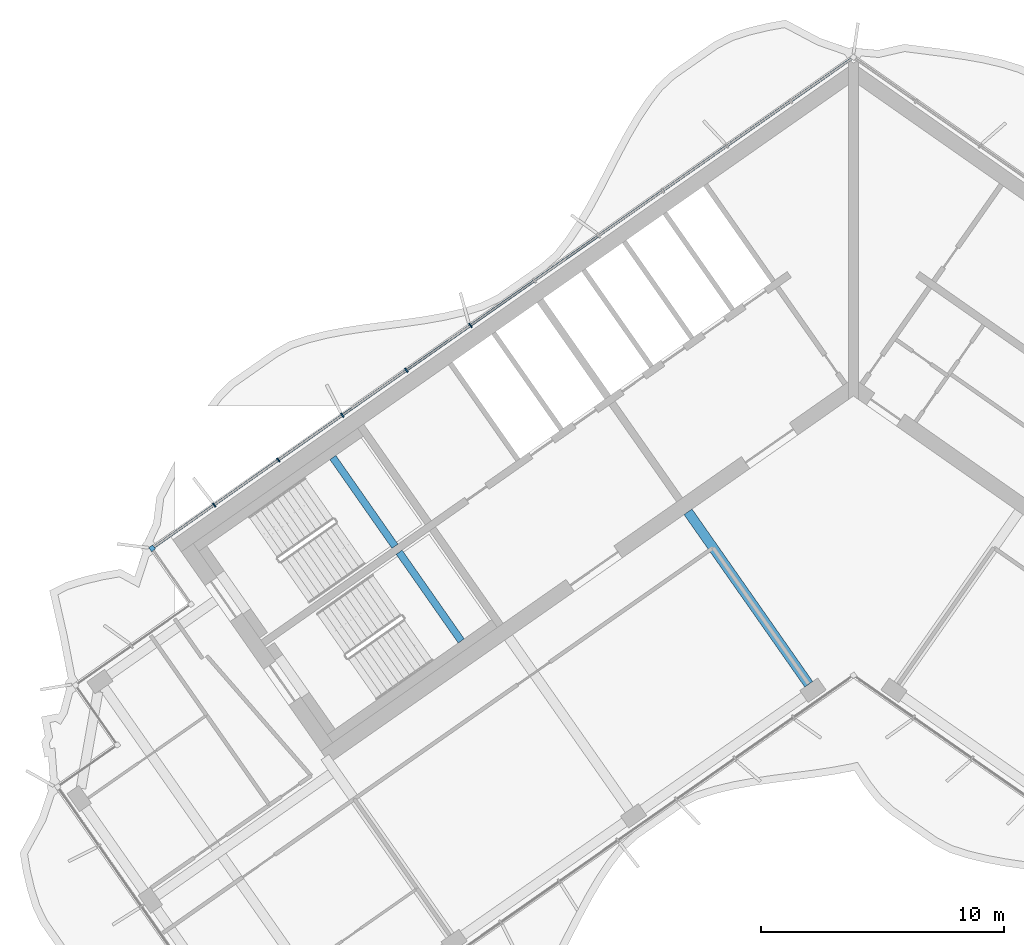
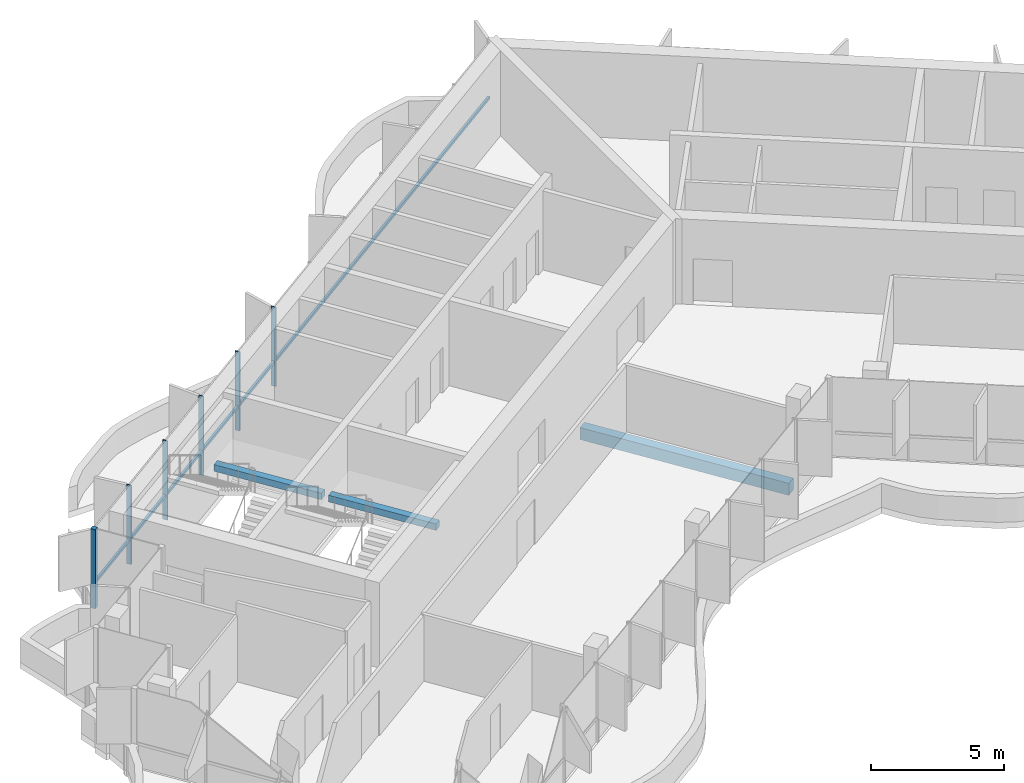
# One storey, part 3 of 19: 7 members, 3 beams, 1 element without a shape of its own.
"""IFC4 building model written with IfcOpenShell, lengths in metres."""

from ifc_helpers import new_model, si_unit, direction, frame, origin, origin_2d, place, context, subcontext, project, spatial, rectangle, extrude, material, material_profile, profile_set, type_object, element, aggregate, save


model = new_model("IFC4")

# Units and contexts
model_context = context("Model", 3, precision=1e-05, world=origin(), true_north=direction((0.0, 1.0)))
body_context = subcontext(model_context, "Body", "Model", "MODEL_VIEW")
ifc_project = project(units=[si_unit("LENGTHUNIT", "METRE"), si_unit("AREAUNIT", "SQUARE_METRE"), si_unit("VOLUMEUNIT", "CUBIC_METRE"), si_unit("PLANEANGLEUNIT", "RADIAN"), si_unit("MASSUNIT", "GRAM", prefix="KILO")], contexts=[model_context])

# Site, building, storey
site_placement = place(None, origin())
site = spatial("IfcSite", under=ifc_project, at=site_placement, CompositionType="ELEMENT")
building_placement = place(site_placement, origin())
building = spatial("IfcBuilding", under=site, at=building_placement, Name="Tel Ilan Convention Tower", CompositionType="ELEMENT")
storey_placement = place(building_placement, frame((0.0, 0.0, 241.0)))
storey = spatial("IfcBuildingStorey", under=building, at=storey_placement, Name="L56", CompositionType="ELEMENT", Elevation=241.0)

# Beam
ifc_material_1 = material(Name="Concrete C40/50", Category="concrete")
ifc_material_profile_1 = material_profile(ifc_material_1, rectangle(XDim=0.39990234375, YDim=0.550048828125, at=origin_2d()), Name="RC 400x550")
ifc_profile_set_1 = profile_set([ifc_material_profile_1], Name="Concrete C40/50")
beam_type_1 = type_object("IfcBeamType", Name="Beam RC 400x550 Concrete C40/50", PredefinedType="BEAM", material=ifc_profile_set_1)
beam_1_placement = place(storey_placement, frame((-1.83740234375, -13.06689453125, -0.554931640625), z_axis=(-0.573574099654, 0.819153680457, 0.0), x_axis=(-0.819153680457, -0.573574099654, 0.0)))
element("IfcBeam", 1, at=beam_1_placement, inside=storey, type_object=beam_type_1, Name="L56 beam W-W-F1-core", PredefinedType="BEAM", context=body_context, shape_type="SweptSolid", body=[
    extrude(rectangle(XDim=0.39990234375, YDim=0.550048828125, at=origin_2d()), origin(), (0.0, 0.0, 1.0), 8.64990234375),
])

# Curtain wall, members
ifc_material_2 = material(Name="Aluminium, bronze anodised", Category="aluminium")
curtain_wall_type = type_object("IfcCurtainWallType", Name="CW2 STICK CURTAIN WALL, SPANDREL PANELS", PredefinedType="NOTDEFINED", material=ifc_material_2)
curtain_wall_placement = place(storey_placement, origin())
curtain_wall = element("IfcCurtainWall", 2, at=curtain_wall_placement, inside=storey, type_object=curtain_wall_type, Name="Curtain wall CW2-43.01", PredefinedType="NOTDEFINED")
ifc_material_3 = material(Name="Aluminium, bronze anodised", Category="aluminium")
ifc_material_profile_2 = material_profile(ifc_material_3, rectangle(XDim=0.199951171875, YDim=0.199951171875, at=origin_2d()), Name="CW CORNER MULLION 200x200")
ifc_profile_set_2 = profile_set([ifc_material_profile_2], Name="Aluminium, bronze anodised")
member_type_1 = type_object("IfcMemberType", Name="CW CORNER MULLION 200x200", PredefinedType="MULLION", material=ifc_profile_set_2)
member_1_placement = place(storey_placement, frame((-28.819580078125, -7.483642578125, 0.0), z_axis=(0.0, 0.0, 1.0), x_axis=(-0.819152044289, -0.573576436351, 0.0)))
member_1 = element("IfcMember", 3, at=member_1_placement, type_object=member_type_1, Name="Corner mullion", PredefinedType="MULLION", context=body_context, shape_type="SweptSolid", body=[
    extrude(rectangle(XDim=0.199951171875, YDim=0.199951171875, at=origin_2d()), origin(), (0.0, 0.0, 1.0), 3.6201171875),
])
ifc_material_4 = material(Name="Aluminium, bronze anodised", Category="aluminium")
ifc_material_profile_3 = material_profile(ifc_material_4, rectangle(XDim=0.06005859375, YDim=0.199951171875, at=origin_2d()), Name="CW MULLION 60x200")
ifc_profile_set_3 = profile_set([ifc_material_profile_3], Name="Aluminium, bronze anodised")
member_type_2 = type_object("IfcMemberType", Name="CW MULLION 60x200", PredefinedType="MULLION", material=ifc_profile_set_3)
member_2_placement = place(storey_placement, frame((-15.73828125, 1.676025390625, 0.0), z_axis=(0.0, 0.0, 1.0), x_axis=(-0.819152044289, -0.573576436351, 0.0)))
member_2 = element("IfcMember", 4, at=member_2_placement, type_object=member_type_2, Name="Mullion", PredefinedType="MULLION", context=body_context, shape_type="SweptSolid", body=[
    extrude(rectangle(XDim=0.06005859375, YDim=0.199951171875, at=origin_2d()), origin(), (0.0, 0.0, 1.0), 3.6201171875),
])
member_3_placement = place(storey_placement, frame((-18.37109375, -0.16748046875, 0.0), z_axis=(0.0, 0.0, 1.0), x_axis=(-0.819152044289, -0.573576436351, 0.0)))
member_3 = element("IfcMember", 5, at=member_3_placement, type_object=member_type_2, Name="Mullion", PredefinedType="MULLION", context=body_context, shape_type="SweptSolid", body=[
    extrude(rectangle(XDim=0.06005859375, YDim=0.199951171875, at=origin_2d()), origin(), (0.0, 0.0, 1.0), 3.6201171875),
])
member_4_placement = place(storey_placement, frame((-21.003662109375, -2.0107421875, 0.0), z_axis=(0.0, 0.0, 1.0), x_axis=(-0.819152044289, -0.573576436351, 0.0)))
member_4 = element("IfcMember", 6, at=member_4_placement, type_object=member_type_2, Name="Mullion", PredefinedType="MULLION", context=body_context, shape_type="SweptSolid", body=[
    extrude(rectangle(XDim=0.06005859375, YDim=0.199951171875, at=origin_2d()), origin(), (0.0, 0.0, 1.0), 3.6201171875),
])
member_5_placement = place(storey_placement, frame((-23.63623046875, -3.854248046875, 0.0), z_axis=(0.0, 0.0, 1.0), x_axis=(-0.819152044289, -0.573576436351, 0.0)))
member_5 = element("IfcMember", 7, at=member_5_placement, type_object=member_type_2, Name="Mullion", PredefinedType="MULLION", context=body_context, shape_type="SweptSolid", body=[
    extrude(rectangle(XDim=0.06005859375, YDim=0.199951171875, at=origin_2d()), origin(), (0.0, 0.0, 1.0), 3.6201171875),
])
member_6_placement = place(storey_placement, frame((-26.268798828125, -5.697509765625, 0.0), z_axis=(0.0, 0.0, 1.0), x_axis=(-0.819152044289, -0.573576436351, 0.0)))
member_6 = element("IfcMember", 8, at=member_6_placement, type_object=member_type_2, Name="Mullion", PredefinedType="MULLION", context=body_context, shape_type="SweptSolid", body=[
    extrude(rectangle(XDim=0.06005859375, YDim=0.199951171875, at=origin_2d()), origin(), (0.0, 0.0, 1.0), 3.6201171875),
])
ifc_material_5 = material(Name="Aluminium, bronze anodised", Category="aluminium")
ifc_material_profile_4 = material_profile(ifc_material_5, rectangle(XDim=0.10009765625, YDim=0.1201171875, at=origin_2d()), Name="CW TRANSOM 100x120")
ifc_profile_set_4 = profile_set([ifc_material_profile_4], Name="Aluminium, bronze anodised")
member_type_3 = type_object("IfcMemberType", Name="CW TRANSOM 100x120", PredefinedType="USERDEFINED", material=ifc_profile_set_4)
member_7_placement = place(storey_placement, frame((-0.1064453125, 12.62158203125, 1.10009765625), z_axis=(-0.819150201937, -0.573579067494, 0.0), x_axis=(0.573579067494, -0.819150201937, 0.0)))
member_7 = element("IfcMember", 9, at=member_7_placement, type_object=member_type_3, Name="Transom", ObjectType="TRANSOM", PredefinedType="USERDEFINED", context=body_context, shape_type="SweptSolid", body=[
    extrude(rectangle(XDim=0.10009765625, YDim=0.1201171875, at=origin_2d()), origin(), (0.0, 0.0, 1.0), 34.9521484375),
])
aggregate(curtain_wall, [member_2, member_3, member_4, member_5, member_6, member_1, member_7])

# Beams
ifc_material_6 = material(Name="Concrete C40/50", Category="concrete")
ifc_material_profile_5 = material_profile(ifc_material_6, rectangle(XDim=0.300048828125, YDim=0.300048828125, at=origin_2d()), Name="RC 300x300")
ifc_profile_set_5 = profile_set([ifc_material_profile_5], Name="Concrete C40/50")
beam_type_2 = type_object("IfcBeamType", Name="Landing Beam RC 300x300 Concrete C40/50", PredefinedType="BEAM", material=ifc_profile_set_5)
beam_2_placement = place(storey_placement, frame((-18.841796875, -7.394287109375, 1.60009765625), z_axis=(-0.573547030514, 0.819172633691, 0.0), x_axis=(-0.819172633691, -0.573547030514, 0.0)))
element("IfcBeam", 10, at=beam_2_placement, inside=storey, type_object=beam_type_2, Name="S1 landing beam L56.1", PredefinedType="BEAM", context=body_context, shape_type="SweptSolid", body=[
    extrude(rectangle(XDim=0.300048828125, YDim=0.300048828125, at=origin_2d()), origin(), (0.0, 0.0, 1.0), 4.449951171875),
])
beam_3_placement = place(storey_placement, frame((-16.1171875, -11.285400390625, 1.60009765625), z_axis=(-0.573583844845, 0.819146856756, 0.0), x_axis=(-0.819146856756, -0.573583844845, 0.0)))
element("IfcBeam", 11, at=beam_3_placement, inside=storey, type_object=beam_type_2, Name="S2 landing beam L56.1", PredefinedType="BEAM", context=body_context, shape_type="SweptSolid", body=[
    extrude(rectangle(XDim=0.300048828125, YDim=0.300048828125, at=origin_2d()), origin(), (0.0, 0.0, 1.0), 4.4501953125),
])

save(model, "model.ifc")
